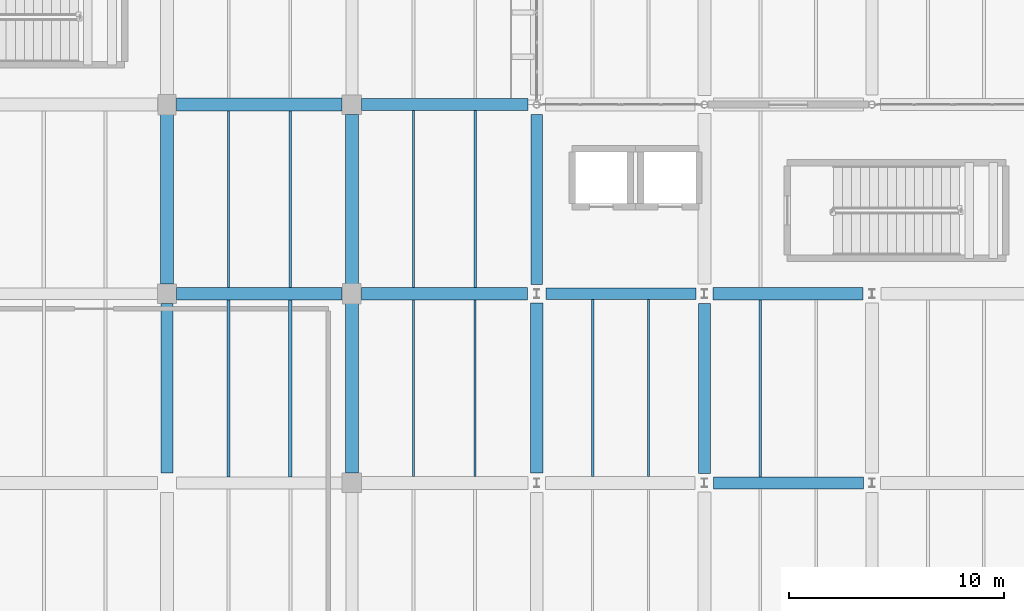
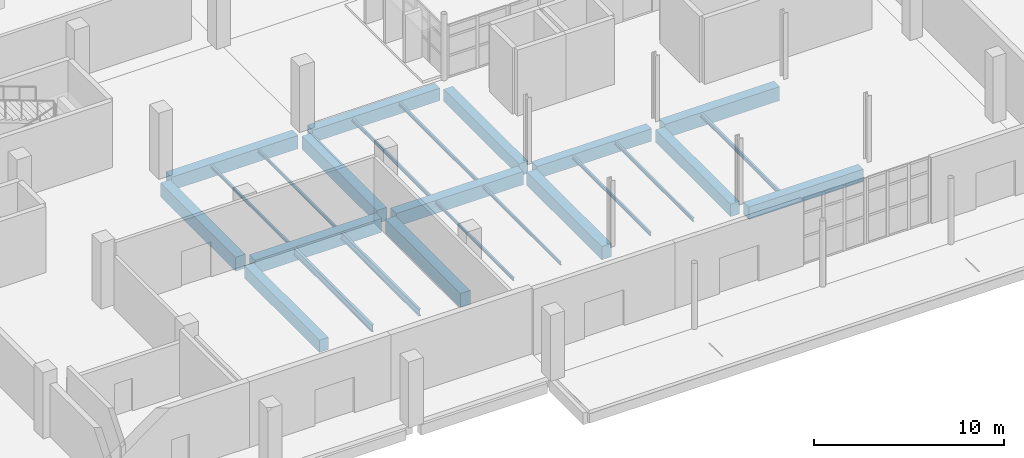
# One storey, part 10 of 76: 25 beams.
"""IFC4 building model written with IfcOpenShell, lengths in metres."""

from ifc_helpers import new_model, si_unit, direction, frame, origin, origin_2d, place, context, subcontext, project, spatial, rectangle, i_section, extrude, material, material_profile, profile_set, type_object, element, save


model = new_model("IFC4")

# Units and contexts
model_context = context("Model", 3, precision=1e-05, world=origin(), true_north=direction((0.0, 1.0)))
body_context = subcontext(model_context, "Body", "Model", "MODEL_VIEW")
ifc_project = project(units=[si_unit("LENGTHUNIT", "METRE"), si_unit("AREAUNIT", "SQUARE_METRE"), si_unit("VOLUMEUNIT", "CUBIC_METRE"), si_unit("PLANEANGLEUNIT", "RADIAN"), si_unit("MASSUNIT", "GRAM", prefix="KILO")], contexts=[model_context])

# Site, building, storey
site_placement = place(None, origin())
site = spatial("IfcSite", under=ifc_project, at=site_placement, CompositionType="ELEMENT")
building_placement = place(site_placement, origin())
building = spatial("IfcBuilding", under=site, at=building_placement, Name="Varnakota Cinema and Media Centre", CompositionType="ELEMENT")
storey_placement = place(building_placement, origin())
storey = spatial("IfcBuildingStorey", under=building, at=storey_placement, Name="L00", CompositionType="ELEMENT", Elevation=0.0)

# Beams
ifc_material_1 = material(Name="Concrete M35", Category="concrete")
ifc_material_profile_1 = material_profile(ifc_material_1, rectangle(XDim=0.550048828125, YDim=0.800048828125, at=origin_2d()), Name="RCB 550x800")
ifc_profile_set_1 = profile_set([ifc_material_profile_1], Name="Concrete M35")
beam_type_1 = type_object("IfcBeamType", Name="BM-RC-550x800", PredefinedType="BEAM", material=ifc_profile_set_1)
for number, where, z_axis, x_axis, name in (
    (1, (59.824951171875, 8.800048828125, -0.679931640625), (1.0, 0.0, 0.0), (0.0, 1.0, 0.0), "L00 girder H-J/2"),
    (2, (52.02490234375, 17.60009765625, -0.679931640625), (1.0, 0.0, 0.0), (0.0, 1.0, 0.0), "L00 girder G-H/3"),
):
    element("IfcBeam", number, at=place(storey_placement, frame(where, z_axis=z_axis, x_axis=x_axis)), inside=storey, type_object=beam_type_1, Name=name, PredefinedType="BEAM", context=body_context, shape_type="SweptSolid", body=[
        extrude(rectangle(XDim=0.550048828125, YDim=0.800048828125, at=origin_2d()), origin(), (0.0, 0.0, 1.0), 6.97509765625),
    ])
beam_1_placement = place(storey_placement, frame((43.449951171875, 26.39990234375, -0.679931640625), z_axis=(1.0, 0.0, 0.0), x_axis=(0.0, 1.0, 0.0)))
element("IfcBeam", 3, at=beam_1_placement, inside=storey, type_object=beam_type_1, Name="L00 girder F-G/4", PredefinedType="BEAM", context=body_context, shape_type="SweptSolid", body=[
    extrude(rectangle(XDim=0.550048828125, YDim=0.800048828125, at=origin_2d()), origin(), (0.0, 0.0, 1.0), 7.75),
])
beam_2_placement = place(storey_placement, frame((34.39990234375, 9.25, -0.679931640625), z_axis=(0.0, 1.0, 0.0), x_axis=(-1.0, 0.0, 0.0)))
element("IfcBeam", 4, at=beam_2_placement, inside=storey, type_object=beam_type_1, Name="L00 girder E/2-3", PredefinedType="BEAM", context=body_context, shape_type="SweptSolid", body=[
    extrude(rectangle(XDim=0.550048828125, YDim=0.800048828125, at=origin_2d()), origin(), (0.0, 0.0, 1.0), 7.89990234375),
])
beam_3_placement = place(storey_placement, frame((51.60009765625, 18.02490234375, -0.679931640625), z_axis=(0.0, 1.0, 0.0), x_axis=(-1.0, 0.0, 0.0)))
element("IfcBeam", 5, at=beam_3_placement, inside=storey, type_object=beam_type_1, Name="L00 girder G/3-4", PredefinedType="BEAM", context=body_context, shape_type="SweptSolid", body=[
    extrude(rectangle(XDim=0.550048828125, YDim=0.800048828125, at=origin_2d()), origin(), (0.0, 0.0, 1.0), 7.925048828125),
])
beam_4_placement = place(storey_placement, frame((59.39990234375, 9.22509765625, -0.679931640625), z_axis=(0.0, 1.0, 0.0), x_axis=(-1.0, 0.0, 0.0)))
element("IfcBeam", 6, at=beam_4_placement, inside=storey, type_object=beam_type_1, Name="L00 girder H/2-3", PredefinedType="BEAM", context=body_context, shape_type="SweptSolid", body=[
    extrude(rectangle(XDim=0.550048828125, YDim=0.800048828125, at=origin_2d()), origin(), (0.0, 0.0, 1.0), 7.9248046875),
])
ifc_material_2 = material(Name="Concrete M35", Category="concrete")
ifc_material_profile_2 = material_profile(ifc_material_2, rectangle(XDim=0.60009765625, YDim=0.85009765625, at=origin_2d()), Name="RCB 600x850")
ifc_profile_set_2 = profile_set([ifc_material_profile_2], Name="Concrete M35")
beam_type_2 = type_object("IfcBeamType", Name="BM-RC-600x850", PredefinedType="BEAM", material=ifc_profile_set_2)
beam_5_placement = place(storey_placement, frame((43.449951171875, 17.60009765625, -0.705078125), z_axis=(1.0, 0.0, 0.0), x_axis=(0.0, 1.0, 0.0)))
element("IfcBeam", 7, at=beam_5_placement, inside=storey, type_object=beam_type_2, Name="L00 girder F-G/3", PredefinedType="BEAM", context=body_context, shape_type="SweptSolid", body=[
    extrude(rectangle(XDim=0.60009765625, YDim=0.85009765625, at=origin_2d()), origin(), (0.0, 0.0, 1.0), 7.72509765625),
])
beam_6_placement = place(storey_placement, frame((34.85009765625, 26.39990234375, -0.705078125), z_axis=(1.0, 0.0, 0.0), x_axis=(0.0, 1.0, 0.0)))
element("IfcBeam", 8, at=beam_6_placement, inside=storey, type_object=beam_type_2, Name="L00 girder E-F/4", PredefinedType="BEAM", context=body_context, shape_type="SweptSolid", body=[
    extrude(rectangle(XDim=0.60009765625, YDim=0.85009765625, at=origin_2d()), origin(), (0.0, 0.0, 1.0), 7.699951171875),
])
beam_7_placement = place(storey_placement, frame((43.0, 18.050048828125, -0.705078125), z_axis=(0.0, 1.0, 0.0), x_axis=(-1.0, 0.0, 0.0)))
element("IfcBeam", 9, at=beam_7_placement, inside=storey, type_object=beam_type_2, Name="L00 girder F/3-4", PredefinedType="BEAM", context=body_context, shape_type="SweptSolid", body=[
    extrude(rectangle(XDim=0.60009765625, YDim=0.85009765625, at=origin_2d()), origin(), (0.0, 0.0, 1.0), 7.89990234375),
])
beam_8_placement = place(storey_placement, frame((51.60009765625, 9.25, -0.705078125), z_axis=(0.0, 1.0, 0.0), x_axis=(-1.0, 0.0, 0.0)))
element("IfcBeam", 10, at=beam_8_placement, inside=storey, type_object=beam_type_2, Name="L00 girder G/2-3", PredefinedType="BEAM", context=body_context, shape_type="SweptSolid", body=[
    extrude(rectangle(XDim=0.60009765625, YDim=0.85009765625, at=origin_2d()), origin(), (0.0, 0.0, 1.0), 7.925048828125),
])
ifc_material_3 = material(Name="Concrete M40", Category="concrete")
ifc_material_profile_3 = material_profile(ifc_material_3, rectangle(XDim=0.60009765625, YDim=0.89990234375, at=origin_2d()), Name="RCB 600x900")
ifc_profile_set_3 = profile_set([ifc_material_profile_3], Name="Concrete M40")
beam_type_3 = type_object("IfcBeamType", Name="BM-RC-600x900", PredefinedType="BEAM", material=ifc_profile_set_3)
beam_9_placement = place(storey_placement, frame((34.85009765625, 17.60009765625, -0.72998046875), z_axis=(1.0, 0.0, 0.0), x_axis=(0.0, 1.0, 0.0)))
element("IfcBeam", 11, at=beam_9_placement, inside=storey, type_object=beam_type_3, Name="L00 girder E-F/3", PredefinedType="BEAM", context=body_context, shape_type="SweptSolid", body=[
    extrude(rectangle(XDim=0.60009765625, YDim=0.89990234375, at=origin_2d()), origin(), (0.0, 0.0, 1.0), 7.699951171875),
])
beam_10_placement = place(storey_placement, frame((59.800048828125, 17.60009765625, -0.72998046875), z_axis=(1.0, 0.0, 0.0), x_axis=(0.0, 1.0, 0.0)))
element("IfcBeam", 12, at=beam_10_placement, inside=storey, type_object=beam_type_3, Name="L00 girder H-J/3", PredefinedType="BEAM", context=body_context, shape_type="SweptSolid", body=[
    extrude(rectangle(XDim=0.60009765625, YDim=0.89990234375, at=origin_2d()), origin(), (0.0, 0.0, 1.0), 6.974853515625),
])
for number, where, z_axis, x_axis, name in (
    (13, (34.39990234375, 18.050048828125, -0.72998046875), (0.0, 1.0, 0.0), (-1.0, 0.0, 0.0), "L00 girder E/3-4"),
    (14, (43.0, 9.25, -0.72998046875), (0.0, 1.0, 0.0), (-1.0, 0.0, 0.0), "L00 girder F/2-3"),
):
    element("IfcBeam", number, at=place(storey_placement, frame(where, z_axis=z_axis, x_axis=x_axis)), inside=storey, type_object=beam_type_3, Name=name, PredefinedType="BEAM", context=body_context, shape_type="SweptSolid", body=[
        extrude(rectangle(XDim=0.60009765625, YDim=0.89990234375, at=origin_2d()), origin(), (0.0, 0.0, 1.0), 7.89990234375),
    ])
ifc_material_4 = material(Name="Structural steel Grade 350 (E350)", Category="steel")
ifc_material_profile_4 = material_profile(ifc_material_4, i_section(OverallWidth=0.10009765625, OverallDepth=0.199951171875, WebThickness=0.005615234375, FlangeThickness=0.0107421875, FilletRadius=0.010986328125, at=origin_2d()), Name="ISMB 200")
ifc_profile_set_4 = profile_set([ifc_material_profile_4], Name="Structural steel Grade 350 (E350)")
beam_type_4 = type_object("IfcBeamType", Name="BM-ST-ISMB200", PredefinedType="JOIST", material=ifc_profile_set_4)
for number, where, z_axis, x_axis, name in (
    (15, (37.2666015625, 17.89990234375, -0.3798828125), (0.0, 1.0, 0.0), (-1.0, 0.0, 0.0), "L00 steel joist E-F/3-4 #1"),
    (16, (40.13330078125, 17.89990234375, -0.3798828125), (0.0, 1.0, 0.0), (-1.0, 0.0, 0.0), "L00 steel joist E-F/3-4 #2"),
):
    element("IfcBeam", number, at=place(storey_placement, frame(where, z_axis=z_axis, x_axis=x_axis)), inside=storey, type_object=beam_type_4, Name=name, PredefinedType="JOIST", context=body_context, shape_type="SweptSolid", body=[
        extrude(i_section(OverallWidth=0.10009765625, OverallDepth=0.199951171875, WebThickness=0.005615234375, FlangeThickness=0.0107421875, FilletRadius=0.010986328125, at=origin_2d()), origin(), (0.0, 0.0, 1.0), 8.2001953125),
    ])
for number, where, z_axis, x_axis, name in (
    (17, (45.86669921875, 9.10009765625, -0.3798828125), (0.0, 1.0, 0.0), (-1.0, 0.0, 0.0), "L00 steel joist F-G/2-3 #1"),
    (18, (48.7333984375, 9.10009765625, -0.3798828125), (0.0, 1.0, 0.0), (-1.0, 0.0, 0.0), "L00 steel joist F-G/2-3 #2"),
):
    element("IfcBeam", number, at=place(storey_placement, frame(where, z_axis=z_axis, x_axis=x_axis)), inside=storey, type_object=beam_type_4, Name=name, PredefinedType="JOIST", context=body_context, shape_type="SweptSolid", body=[
        extrude(i_section(OverallWidth=0.10009765625, OverallDepth=0.199951171875, WebThickness=0.005615234375, FlangeThickness=0.0107421875, FilletRadius=0.010986328125, at=origin_2d()), origin(), (0.0, 0.0, 1.0), 8.199951171875),
    ])
ifc_material_5 = material(Name="Structural steel Grade 350 (E350)", Category="steel")
ifc_material_profile_5 = material_profile(ifc_material_5, i_section(OverallWidth=0.110107421875, OverallDepth=0.22509765625, WebThickness=0.006591796875, FlangeThickness=0.01171875, FilletRadius=0.011962890625, at=origin_2d()), Name="ISMB 225")
ifc_profile_set_5 = profile_set([ifc_material_profile_5], Name="Structural steel Grade 350 (E350)")
beam_type_5 = type_object("IfcBeamType", Name="BM-ST-ISMB225", PredefinedType="JOIST", material=ifc_profile_set_5)
for number, where, z_axis, x_axis, name in (
    (19, (45.86669921875, 17.89990234375, -0.392578125), (0.0, 1.0, 0.0), (-1.0, 0.0, 0.0), "L00 steel joist F-G/3-4 #1"),
    (20, (48.7333984375, 17.89990234375, -0.392578125), (0.0, 1.0, 0.0), (-1.0, 0.0, 0.0), "L00 steel joist F-G/3-4 #2"),
):
    element("IfcBeam", number, at=place(storey_placement, frame(where, z_axis=z_axis, x_axis=x_axis)), inside=storey, type_object=beam_type_5, Name=name, PredefinedType="JOIST", context=body_context, shape_type="SweptSolid", body=[
        extrude(i_section(OverallWidth=0.110107421875, OverallDepth=0.22509765625, WebThickness=0.006591796875, FlangeThickness=0.01171875, FilletRadius=0.011962890625, at=origin_2d()), origin(), (0.0, 0.0, 1.0), 8.22509765625),
    ])
for number, where, z_axis, x_axis, name in (
    (21, (54.199951171875, 9.10009765625, -0.392578125), (0.0, 1.0, 0.0), (-1.0, 0.0, 0.0), "L00 steel joist G-H/2-3 #1"),
    (22, (56.800048828125, 9.10009765625, -0.392578125), (0.0, 1.0, 0.0), (-1.0, 0.0, 0.0), "L00 steel joist G-H/2-3 #2"),
):
    element("IfcBeam", number, at=place(storey_placement, frame(where, z_axis=z_axis, x_axis=x_axis)), inside=storey, type_object=beam_type_5, Name=name, PredefinedType="JOIST", context=body_context, shape_type="SweptSolid", body=[
        extrude(i_section(OverallWidth=0.110107421875, OverallDepth=0.22509765625, WebThickness=0.006591796875, FlangeThickness=0.01171875, FilletRadius=0.011962890625, at=origin_2d()), origin(), (0.0, 0.0, 1.0), 8.224853515625),
    ])
ifc_material_6 = material(Name="Structural steel Grade 350 (E350)", Category="steel")
ifc_material_profile_6 = material_profile(ifc_material_6, i_section(OverallWidth=0.125, OverallDepth=0.25, WebThickness=0.0068359375, FlangeThickness=0.012451171875, FilletRadius=0.012939453125, at=origin_2d()), Name="ISMB 250")
ifc_profile_set_6 = profile_set([ifc_material_profile_6], Name="Structural steel Grade 350 (E350)")
beam_type_6 = type_object("IfcBeamType", Name="BM-ST-ISMB250", PredefinedType="JOIST", material=ifc_profile_set_6)
beam_11_placement = place(storey_placement, frame((62.0, 9.074951171875, -0.405029296875), z_axis=(0.0, 1.0, 0.0), x_axis=(-1.0, 0.0, 0.0)))
element("IfcBeam", 23, at=beam_11_placement, inside=storey, type_object=beam_type_6, Name="L00 steel joist H-J/2-3 #1", PredefinedType="JOIST", context=body_context, shape_type="SweptSolid", body=[
    extrude(i_section(OverallWidth=0.125, OverallDepth=0.25, WebThickness=0.0068359375, FlangeThickness=0.012451171875, FilletRadius=0.012939453125, at=origin_2d()), origin(), (0.0, 0.0, 1.0), 8.22509765625),
])
ifc_material_7 = material(Name="Structural steel Grade 350 (E350)", Category="steel")
ifc_material_profile_7 = material_profile(ifc_material_7, i_section(OverallWidth=0.14990234375, OverallDepth=0.449951171875, WebThickness=0.009521484375, FlangeThickness=0.017333984375, FilletRadius=0.014892578125, at=origin_2d()), Name="ISMB 450")
ifc_profile_set_7 = profile_set([ifc_material_profile_7], Name="Structural steel Grade 350 (E350)")
beam_type_7 = type_object("IfcBeamType", Name="BM-ST-ISMB450", PredefinedType="BEAM", material=ifc_profile_set_7)
for number, where, z_axis, x_axis, name in (
    (24, (37.2666015625, 9.074951171875, -0.5048828125), (0.0, 1.0, 0.0), (-1.0, 0.0, 0.0), "L00 steel joist E-F/2-3 #1"),
    (25, (40.13330078125, 9.074951171875, -0.5048828125), (0.0, 1.0, 0.0), (-1.0, 0.0, 0.0), "L00 steel joist E-F/2-3 #2"),
):
    element("IfcBeam", number, at=place(storey_placement, frame(where, z_axis=z_axis, x_axis=x_axis)), inside=storey, type_object=beam_type_7, Name=name, PredefinedType="BEAM", context=body_context, shape_type="SweptSolid", body=[
        extrude(i_section(OverallWidth=0.14990234375, OverallDepth=0.449951171875, WebThickness=0.009521484375, FlangeThickness=0.017333984375, FilletRadius=0.014892578125, at=origin_2d()), origin(), (0.0, 0.0, 1.0), 8.22509765625),
    ])

save(model, "model.ifc")
